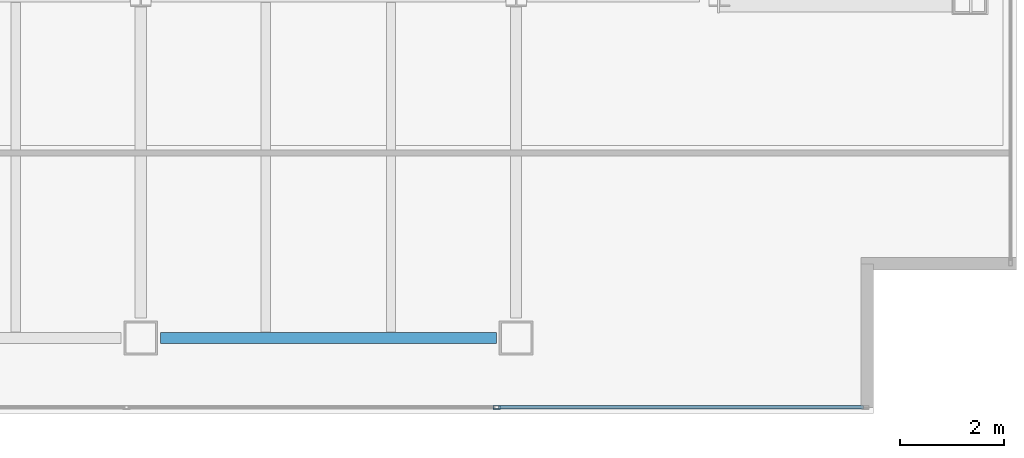
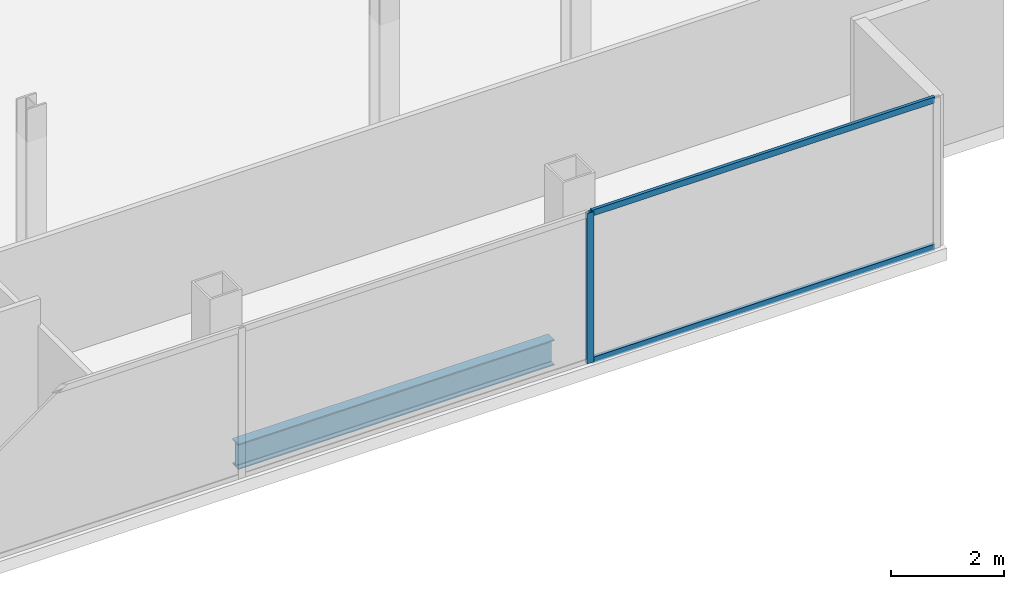
# One storey, part 12 of 24: 3 members, 1 beam, 1 element without a shape of its own.
"""IFC4 building model written with IfcOpenShell, lengths in metres."""

from ifc_helpers import new_model, si_unit, direction, frame, origin, origin_2d, place, context, subcontext, project, spatial, hollow_rectangle, i_section, extrude, material, material_profile, profile_set, type_object, element, aggregate, save


model = new_model("IFC4")

# Units and contexts
model_context = context("Model", 3, precision=1e-05, world=origin(), true_north=direction((0.0, 1.0)))
body_context = subcontext(model_context, "Body", "Model", "MODEL_VIEW")
ifc_project = project(units=[si_unit("LENGTHUNIT", "METRE"), si_unit("AREAUNIT", "SQUARE_METRE"), si_unit("VOLUMEUNIT", "CUBIC_METRE"), si_unit("PLANEANGLEUNIT", "RADIAN"), si_unit("MASSUNIT", "GRAM", prefix="KILO")], contexts=[model_context])

# Site, building, storey
site_placement = place(None, origin())
site = spatial("IfcSite", under=ifc_project, at=site_placement, CompositionType="ELEMENT")
building_placement = place(site_placement, origin())
building = spatial("IfcBuilding", under=site, at=building_placement, Name="Cobrela Telecom Tower", CompositionType="ELEMENT")
storey_placement = place(building_placement, frame((0.0, 0.0, 241.14990234375)))
storey = spatial("IfcBuildingStorey", under=building, at=storey_placement, Name="L62", CompositionType="ELEMENT", Elevation=241.14990234375)

# Beam
ifc_material_1 = material(Name="Steel ASTM A992 Grade 50", Category="steel")
ifc_material_profile_1 = material_profile(ifc_material_1, i_section(OverallWidth=0.212890625, OverallDepth=0.549072265625, WebThickness=0.0146484375, FlangeThickness=0.023681640625, FilletRadius=0.013916015625, at=origin_2d()), Name="W21X93")
ifc_profile_set_1 = profile_set([ifc_material_profile_1], Name="Steel ASTM A992 Grade 50")
beam_type = type_object("IfcBeamType", Name="BM-GIRD-08", PredefinedType="USERDEFINED", material=ifc_profile_set_1)
beam_placement = place(storey_placement, frame((29.179931640625, 7.85009765625, -0.534423828125), z_axis=(1.0, 0.0, 0.0), x_axis=(0.0, 1.0, 0.0)))
element("IfcBeam", 1, at=beam_placement, inside=storey, type_object=beam_type, Name="L62 Primary Girder X04", ObjectType="GIRDER", PredefinedType="USERDEFINED", context=body_context, shape_type="SweptSolid", body=[
    extrude(i_section(OverallWidth=0.212890625, OverallDepth=0.549072265625, WebThickness=0.0146484375, FlangeThickness=0.023681640625, FilletRadius=0.013916015625, at=origin_2d()), origin(), (0.0, 0.0, 1.0), 6.440185546875),
])

# Curtain wall, members
ifc_material_2 = material(Name="Anodized Bronze Aluminium 6063-T6", Category="aluminium")
curtain_wall_type = type_object("IfcCurtainWallType", Name="CW-SYS-OFF-HI", PredefinedType="USERDEFINED", material=ifc_material_2)
curtain_wall_placement = place(storey_placement, origin())
curtain_wall = element("IfcCurtainWall", 2, at=curtain_wall_placement, inside=storey, type_object=curtain_wall_type, Name="L62 Unitised Bronze Curtain Wall 15", ObjectType="UNITISED CURTAIN WALL", PredefinedType="USERDEFINED")
ifc_material_profile_2 = material_profile(ifc_material_2, hollow_rectangle(XDim=0.070068359375, YDim=0.139892578125, WallThickness=0.00390625, at=origin_2d()), Name="ALU 70x140x4")
ifc_profile_set_2 = profile_set([ifc_material_profile_2], Name="Anodized Bronze Aluminium 6063-T6")
member_type_1 = type_object("IfcMemberType", Name="CW-SYS-OFF-HI-MUL", PredefinedType="MULLION", material=ifc_profile_set_2)
member_1_placement = place(storey_placement, frame((35.62841796875, 6.52001953125, 0.0), z_axis=(0.0, 0.0, 1.0), x_axis=(0.0, -1.0, 0.0)))
member_1 = element("IfcMember", 3, at=member_1_placement, type_object=member_type_1, Name="CW-OFF-HI mullion 2", PredefinedType="MULLION", context=body_context, shape_type="SweptSolid", body=[
    extrude(hollow_rectangle(XDim=0.070068359375, YDim=0.139892578125, WallThickness=0.00390625, at=origin_2d()), origin(), (0.0, 0.0, 1.0), 3.239990234375),
])
ifc_material_profile_3 = material_profile(ifc_material_2, hollow_rectangle(XDim=0.06494140625, YDim=0.1298828125, WallThickness=0.00390625, at=origin_2d()), Name="ALU 65x130x4")
ifc_profile_set_3 = profile_set([ifc_material_profile_3], Name="Anodized Bronze Aluminium 6063-T6")
member_type_2 = type_object("IfcMemberType", Name="CW-SYS-OFF-HI-TRN", PredefinedType="USERDEFINED", material=ifc_profile_set_3)
member_2_placement = place(storey_placement, frame((42.659912109375, 6.52001953125, 0.03271484375), z_axis=(-1.0, 0.0, 0.0), x_axis=(0.0, -1.0, 0.0)))
member_2 = element("IfcMember", 4, at=member_2_placement, type_object=member_type_2, Name="CW-OFF-HI transom 1.1", ObjectType="TRANSOM", PredefinedType="USERDEFINED", context=body_context, shape_type="SweptSolid", body=[
    extrude(hollow_rectangle(XDim=0.06494140625, YDim=0.1298828125, WallThickness=0.00390625, at=origin_2d()), origin(), (0.0, 0.0, 1.0), 6.99658203125),
])
member_3_placement = place(storey_placement, frame((42.659912109375, 6.52001953125, 3.20751953125), z_axis=(-1.0, 0.0, 0.0), x_axis=(0.0, -1.0, 0.0)))
member_3 = element("IfcMember", 5, at=member_3_placement, type_object=member_type_2, Name="CW-OFF-HI transom 1.2", ObjectType="TRANSOM", PredefinedType="USERDEFINED", context=body_context, shape_type="SweptSolid", body=[
    extrude(hollow_rectangle(XDim=0.06494140625, YDim=0.1298828125, WallThickness=0.00390625, at=origin_2d()), origin(), (0.0, 0.0, 1.0), 6.99658203125),
])
aggregate(curtain_wall, [member_1, member_2, member_3])

save(model, "model.ifc")
